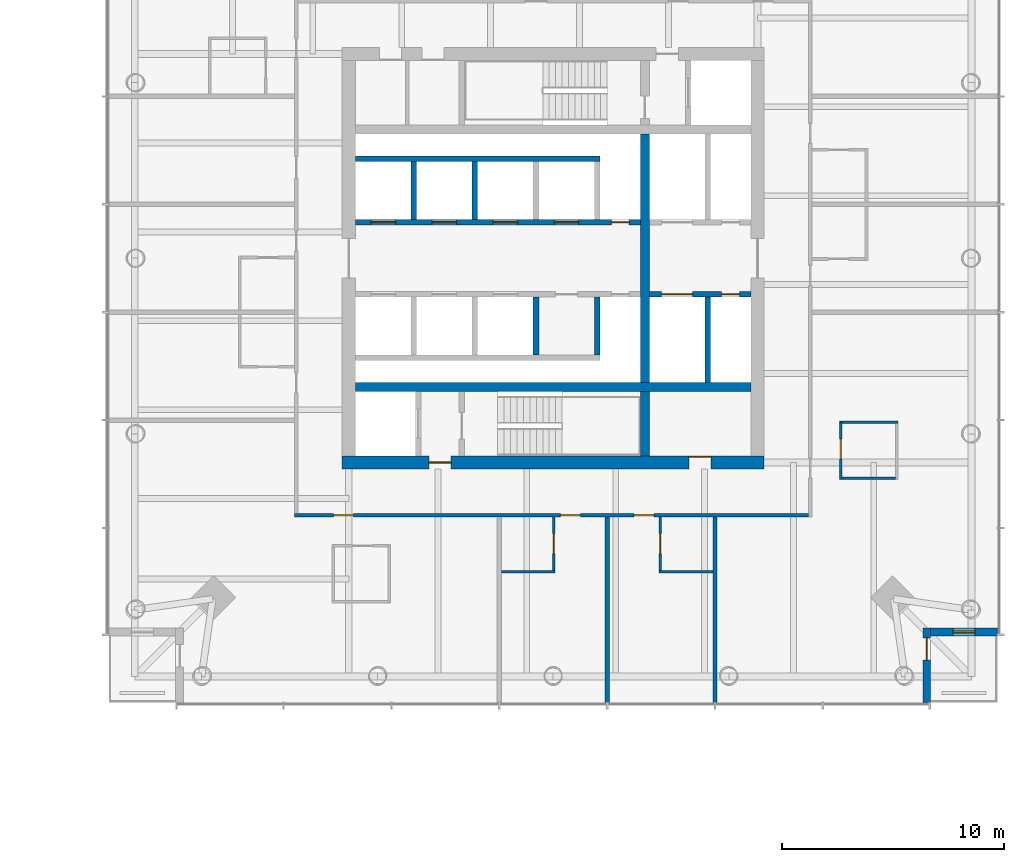
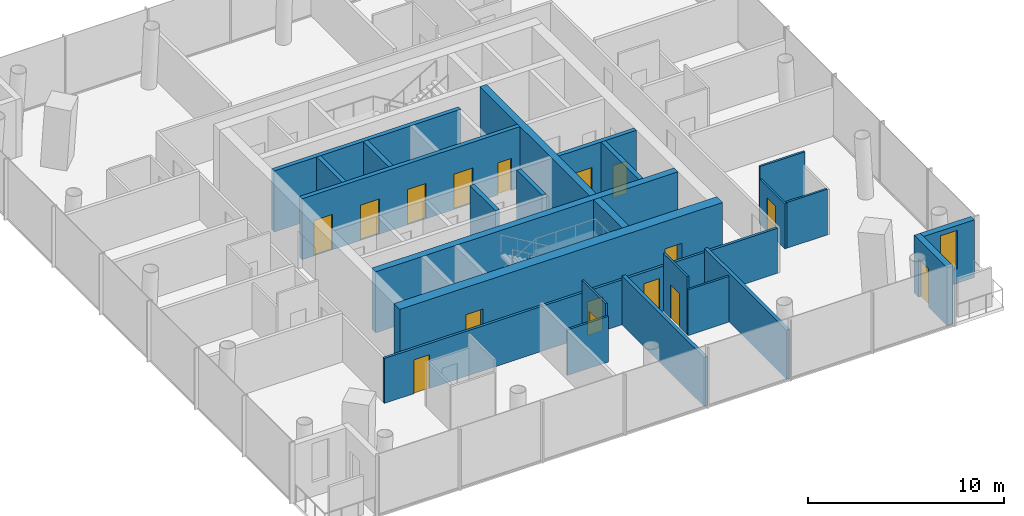
# One storey, part 14 of 19: 24 walls, 16 doors, 1 window, 17 openings.
"""IFC4 building model written with IfcOpenShell, lengths in metres."""

from ifc_helpers import new_model, si_unit, direction, frame, frame_2d, origin, place, context, subcontext, project, spatial, rectangle, extrude, material, layer, layer_set, type_object, element, fill, save


model = new_model("IFC4")

# Units and contexts
model_context = context("Model", 3, precision=1e-05, world=origin(), true_north=direction((0.0, 1.0)))
body_context = subcontext(model_context, "Body", "Model", "MODEL_VIEW")
ifc_project = project(units=[si_unit("LENGTHUNIT", "METRE"), si_unit("AREAUNIT", "SQUARE_METRE"), si_unit("VOLUMEUNIT", "CUBIC_METRE"), si_unit("PLANEANGLEUNIT", "RADIAN"), si_unit("MASSUNIT", "GRAM", prefix="KILO")], contexts=[model_context])

# Site, building, storey
site_placement = place(None, origin())
site = spatial("IfcSite", under=ifc_project, at=site_placement, CompositionType="ELEMENT")
building_placement = place(site_placement, origin())
building = spatial("IfcBuilding", under=site, at=building_placement, Name="Ostroluk Exchange", CompositionType="ELEMENT")
storey_placement = place(building_placement, frame((0.0, 0.0, 24.800048828125)))
storey = spatial("IfcBuildingStorey", under=building, at=storey_placement, Name="L05", CompositionType="ELEMENT", Elevation=24.800048828125)

# Walls
ifc_material_1 = material(Name="Concrete C50/60", Category="concrete")
ifc_layer_1 = layer(ifc_material_1, 0.39990234375)
ifc_layer_set_1 = layer_set([ifc_layer_1], Name="Core cross wall 400 C50/60")
wall_type_1 = type_object("IfcWallType", Name="Core cross wall 400 C50/60", PredefinedType="SHEAR", material=ifc_layer_set_1)
wall_1_placement = place(storey_placement, frame((108.10009765625, 40.199951171875, 0.0), z_axis=(0.0, 0.0, 1.0), x_axis=(1.0, 0.0, 0.0)))
element("IfcWall", 1, at=wall_1_placement, inside=storey, type_object=wall_type_1, Name="T2 core wall XS", PredefinedType="SHEAR", context=body_context, shape_type="SweptSolid", body=[
    extrude(rectangle(XDim=17.7998046875, YDim=0.39990234375, at=frame_2d((8.89990234375, 0.0))), origin(), (0.0, 0.0, 1.0), 3.800048828125),
])
wall_2_placement = place(storey_placement, frame((121.1298828125, 37.10009765625, 0.0), z_axis=(0.0, 0.0, 1.0), x_axis=(0.0, 1.0, 0.0)))
element("IfcWall", 2, at=wall_2_placement, inside=storey, type_object=wall_type_1, Name="T2 core wall YE1", PredefinedType="SHEAR", context=body_context, shape_type="SweptSolid", body=[
    extrude(rectangle(XDim=2.89990234375, YDim=0.39990234375, at=frame_2d((1.449951171875, 0.0))), origin(), (0.0, 0.0, 1.0), 3.800048828125),
])
wall_3_placement = place(storey_placement, frame((121.1298828125, 40.39990234375, 0.0), z_axis=(0.0, 0.0, 1.0), x_axis=(0.0, 1.0, 0.0)))
element("IfcWall", 3, at=wall_3_placement, inside=storey, type_object=wall_type_1, Name="T2 core wall YE2", PredefinedType="SHEAR", context=body_context, shape_type="SweptSolid", body=[
    extrude(rectangle(XDim=11.2001953125, YDim=0.39990234375, at=frame_2d((5.60009765625, 0.0))), origin(), (0.0, 0.0, 1.0), 3.800048828125),
])
ifc_material_2 = material(Name="Concrete C40/50", Category="concrete")
ifc_layer_2 = layer(ifc_material_2, 0.25)
ifc_layer_set_2 = layer_set([ifc_layer_2], Name="Core shaft wall 250")
wall_type_2 = type_object("IfcWallType", Name="Core shaft wall 250", PredefinedType="SHEAR", material=ifc_layer_set_2)
for number, where, z_axis, x_axis, name in (
    (4, (110.72509765625, 47.75, 0.0), (0.0, 0.0, 1.0), (0.0, 1.0, 0.0), "Lift shaft wall"),
    (5, (113.47509765625, 47.75, 0.0), (0.0, 0.0, 1.0), (0.0, 1.0, 0.0), "Lift shaft wall"),
):
    element("IfcWall", number, at=place(storey_placement, frame(where, z_axis=z_axis, x_axis=x_axis)), inside=storey, type_object=wall_type_2, Name=name, PredefinedType="SHEAR", context=body_context, shape_type="SweptSolid", body=[
        extrude(rectangle(XDim=2.60009765625, YDim=0.25, at=frame_2d((1.300048828125, 0.0))), origin(), (0.0, 0.0, 1.0), 3.800048828125),
    ])
wall_4_placement = place(storey_placement, frame((108.10009765625, 50.47509765625, 0.0), z_axis=(0.0, 0.0, 1.0), x_axis=(1.0, 0.0, 0.0)))
element("IfcWall", 6, at=wall_4_placement, inside=storey, type_object=wall_type_2, Name="Lift shaft wall", PredefinedType="SHEAR", context=body_context, shape_type="SweptSolid", body=[
    extrude(rectangle(XDim=11.0, YDim=0.25, at=frame_2d((5.5, 0.0))), origin(), (0.0, 0.0, 1.0), 3.800048828125),
])

# Wall, openings, doors
wall_5_placement = place(storey_placement, frame((108.10009765625, 47.625, 0.0), z_axis=(0.0, 0.0, 1.0), x_axis=(1.0, 0.0, 0.0)))
wall_5 = element("IfcWall", 7, at=wall_5_placement, inside=storey, type_object=wall_type_2, Name="Lift shaft front wall", PredefinedType="SHEAR", context=body_context, shape_type="SweptSolid", body=[
    extrude(rectangle(XDim=12.829833984375, YDim=0.25, at=frame_2d((6.4150390625, 0.0))), origin(), (0.0, 0.0, 1.0), 3.800048828125),
])
opening_1_placement = place(wall_5_placement, frame((0.699951171875, 0.0, 0.0)))
opening_1 = element("IfcOpeningElement", 8, at=opening_1_placement, cuts=wall_5, Name="Opening LD", PredefinedType="OPENING", context=body_context, shape_type="SweptSolid", body=[
    extrude(rectangle(XDim=1.10009765625, YDim=2.199951171875, at=frame_2d((0.550048828125, 1.10009765625))), frame((0.0, 0.135009765625, 0.0), z_axis=(0.0, -1.0, 0.0), x_axis=(1.0, 0.0, 0.0)), (0.0, 0.0, 1.0), 0.27001953125),
])
opening_2_placement = place(wall_5_placement, frame((3.449951171875, 0.0, 0.0)))
opening_2 = element("IfcOpeningElement", 9, at=opening_2_placement, cuts=wall_5, Name="Opening LD", PredefinedType="OPENING", context=body_context, shape_type="SweptSolid", body=[
    extrude(rectangle(XDim=1.10009765625, YDim=2.199951171875, at=frame_2d((0.550048828125, 1.10009765625))), frame((0.0, 0.135009765625, 0.0), z_axis=(0.0, -1.0, 0.0), x_axis=(1.0, 0.0, 0.0)), (0.0, 0.0, 1.0), 0.27001953125),
])
opening_3_placement = place(wall_5_placement, frame((6.199951171875, 0.0, 0.0)))
opening_3 = element("IfcOpeningElement", 10, at=opening_3_placement, cuts=wall_5, Name="Opening LD", PredefinedType="OPENING", context=body_context, shape_type="SweptSolid", body=[
    extrude(rectangle(XDim=1.10009765625, YDim=2.199951171875, at=frame_2d((0.550048828125, 1.10009765625))), frame((0.0, 0.135009765625, 0.0), z_axis=(0.0, -1.0, 0.0), x_axis=(1.0, 0.0, 0.0)), (0.0, 0.0, 1.0), 0.27001953125),
])
opening_4_placement = place(wall_5_placement, frame((8.949951171875, 0.0, 0.0)))
opening_4 = element("IfcOpeningElement", 11, at=opening_4_placement, cuts=wall_5, Name="Opening LD", PredefinedType="OPENING", context=body_context, shape_type="SweptSolid", body=[
    extrude(rectangle(XDim=1.10009765625, YDim=2.199951171875, at=frame_2d((0.550048828125, 1.10009765625))), frame((0.0, 0.135009765625, 0.0), z_axis=(0.0, -1.0, 0.0), x_axis=(1.0, 0.0, 0.0)), (0.0, 0.0, 1.0), 0.27001953125),
])
opening_5_placement = place(wall_5_placement, frame((11.514892578125, 0.0, 0.0)))
opening_5 = element("IfcOpeningElement", 12, at=opening_5_placement, cuts=wall_5, Name="Opening RD60", PredefinedType="OPENING", context=body_context, shape_type="SweptSolid", body=[
    extrude(rectangle(XDim=0.800048828125, YDim=2.0, at=frame_2d((0.39990234375, 1.0))), frame((0.0, 0.135009765625, 0.0), z_axis=(0.0, -1.0, 0.0), x_axis=(1.0, 0.0, 0.0)), (0.0, 0.0, 1.0), 0.27001953125),
])
ifc_material_3 = material(Name="Stainless steel", Category="steel")
door_type_1 = type_object("IfcDoorType", Name="Lift landing door E 60 1100 x 2200", OperationType="DOUBLE_DOOR_SLIDING", PredefinedType="DOOR", material=ifc_material_3)
door_1_placement = place(opening_1_placement, origin())
door_1 = element("IfcDoor", 13, at=door_1_placement, inside=storey, type_object=door_type_1, Name="Lift HL1 landing door", OperationType="DOUBLE_DOOR_SLIDING", OverallHeight=2.199951171875, OverallWidth=1.10009765625, PredefinedType="DOOR", context=body_context, shape_type="SweptSolid", body=[
    extrude(rectangle(XDim=1.10009765625, YDim=2.199951171875, at=frame_2d((0.550048828125, 1.10009765625))), frame((0.0, 0.02490234375, 0.0), z_axis=(0.0, -1.0, 0.0), x_axis=(1.0, 0.0, 0.0)), (0.0, 0.0, 1.0), 0.050048828125),
])
fill(opening_1, door_1)
door_2_placement = place(opening_2_placement, origin())
door_2 = element("IfcDoor", 14, at=door_2_placement, inside=storey, type_object=door_type_1, Name="Lift HL2 landing door", OperationType="DOUBLE_DOOR_SLIDING", OverallHeight=2.199951171875, OverallWidth=1.10009765625, PredefinedType="DOOR", context=body_context, shape_type="SweptSolid", body=[
    extrude(rectangle(XDim=1.10009765625, YDim=2.199951171875, at=frame_2d((0.550048828125, 1.10009765625))), frame((0.0, 0.02490234375, 0.0), z_axis=(0.0, -1.0, 0.0), x_axis=(1.0, 0.0, 0.0)), (0.0, 0.0, 1.0), 0.050048828125),
])
fill(opening_2, door_2)
door_3_placement = place(opening_3_placement, origin())
door_3 = element("IfcDoor", 15, at=door_3_placement, inside=storey, type_object=door_type_1, Name="Lift HL3 landing door", OperationType="DOUBLE_DOOR_SLIDING", OverallHeight=2.199951171875, OverallWidth=1.10009765625, PredefinedType="DOOR", context=body_context, shape_type="SweptSolid", body=[
    extrude(rectangle(XDim=1.10009765625, YDim=2.199951171875, at=frame_2d((0.550048828125, 1.10009765625))), frame((0.0, 0.02490234375, 0.0), z_axis=(0.0, -1.0, 0.0), x_axis=(1.0, 0.0, 0.0)), (0.0, 0.0, 1.0), 0.050048828125),
])
fill(opening_3, door_3)
door_4_placement = place(opening_4_placement, origin())
door_4 = element("IfcDoor", 16, at=door_4_placement, inside=storey, type_object=door_type_1, Name="Lift HL4 landing door", OperationType="DOUBLE_DOOR_SLIDING", OverallHeight=2.199951171875, OverallWidth=1.10009765625, PredefinedType="DOOR", context=body_context, shape_type="SweptSolid", body=[
    extrude(rectangle(XDim=1.10009765625, YDim=2.199951171875, at=frame_2d((0.550048828125, 1.10009765625))), frame((0.0, 0.02490234375, 0.0), z_axis=(0.0, -1.0, 0.0), x_axis=(1.0, 0.0, 0.0)), (0.0, 0.0, 1.0), 0.050048828125),
])
fill(opening_4, door_4)
ifc_material_4 = material(Name="Steel", Category="steel")
door_type_2 = type_object("IfcDoorType", Name="Riser access door EI 60 800 x 2000", OperationType="SINGLE_SWING_LEFT", PredefinedType="DOOR", material=ifc_material_4)
door_5_placement = place(opening_5_placement, origin())
door_5 = element("IfcDoor", 17, at=door_5_placement, inside=storey, type_object=door_type_2, Name="Riser access door", OperationType="SINGLE_SWING_RIGHT", OverallHeight=2.0, OverallWidth=0.800048828125, PredefinedType="DOOR", context=body_context, shape_type="SweptSolid", body=[
    extrude(rectangle(XDim=0.800048828125, YDim=2.0, at=frame_2d((0.39990234375, 1.0))), frame((0.0, 0.02490234375, 0.0), z_axis=(0.0, -1.0, 0.0), x_axis=(1.0, 0.0, 0.0)), (0.0, 0.0, 1.0), 0.050048828125),
])
fill(opening_5, door_5)

# Walls
for number, where, z_axis, x_axis, name in (
    (18, (116.22509765625, 44.25, 0.0), (0.0, 0.0, 1.0), (0.0, -1.0, 0.0), "Lift shaft wall"),
    (19, (118.97509765625, 44.25, 0.0), (0.0, 0.0, 1.0), (0.0, -1.0, 0.0), "Lift shaft wall"),
):
    element("IfcWall", number, at=place(storey_placement, frame(where, z_axis=z_axis, x_axis=x_axis)), inside=storey, type_object=wall_type_2, Name=name, PredefinedType="SHEAR", context=body_context, shape_type="SweptSolid", body=[
        extrude(rectangle(XDim=2.60009765625, YDim=0.25, at=frame_2d((1.300048828125, 0.0))), origin(), (0.0, 0.0, 1.0), 3.800048828125),
    ])
wall_6_placement = place(storey_placement, frame((123.955078125, 44.25, 0.0), z_axis=(0.0, 0.0, 1.0), x_axis=(0.0, -1.0, 0.0)))
element("IfcWall", 20, at=wall_6_placement, inside=storey, type_object=wall_type_2, Name="Lift shaft wall", PredefinedType="SHEAR", context=body_context, shape_type="SweptSolid", body=[
    extrude(rectangle(XDim=3.85009765625, YDim=0.25, at=frame_2d((1.925048828125, 0.0))), origin(), (0.0, 0.0, 1.0), 3.800048828125),
])

# Wall, openings, doors
wall_7_placement = place(storey_placement, frame((121.330078125, 44.375, 0.0), z_axis=(0.0, 0.0, 1.0), x_axis=(1.0, 0.0, 0.0)))
wall_7 = element("IfcWall", 21, at=wall_7_placement, inside=storey, type_object=wall_type_2, Name="Lift shaft front wall", PredefinedType="SHEAR", context=body_context, shape_type="SweptSolid", body=[
    extrude(rectangle(XDim=4.56982421875, YDim=0.25, at=frame_2d((2.284912109375, 0.0))), origin(), (0.0, 0.0, 1.0), 3.800048828125),
])
opening_6_placement = place(wall_7_placement, frame((0.550048828125, 0.0, 0.0)))
opening_6 = element("IfcOpeningElement", 22, at=opening_6_placement, cuts=wall_7, Name="Opening LD3", PredefinedType="OPENING", context=body_context, shape_type="SweptSolid", body=[
    extrude(rectangle(XDim=1.39990234375, YDim=2.39990234375, at=frame_2d((0.699951171875, 1.199951171875))), frame((0.0, 0.135009765625, 0.0), z_axis=(0.0, -1.0, 0.0), x_axis=(1.0, 0.0, 0.0)), (0.0, 0.0, 1.0), 0.27001953125),
])
opening_7_placement = place(wall_7_placement, frame((3.260009765625, 0.0, 0.0)))
opening_7 = element("IfcOpeningElement", 23, at=opening_7_placement, cuts=wall_7, Name="Opening RD60", PredefinedType="OPENING", context=body_context, shape_type="SweptSolid", body=[
    extrude(rectangle(XDim=0.800048828125, YDim=2.0, at=frame_2d((0.39990234375, 1.0))), frame((0.0, 0.135009765625, 0.0), z_axis=(0.0, -1.0, 0.0), x_axis=(1.0, 0.0, 0.0)), (0.0, 0.0, 1.0), 0.27001953125),
])
ifc_material_5 = material(Name="Stainless steel", Category="steel")
door_type_3 = type_object("IfcDoorType", Name="Goods lift landing door E 60 1400 x 2400", OperationType="DOUBLE_DOOR_SLIDING", PredefinedType="DOOR", material=ifc_material_5)
door_6_placement = place(opening_6_placement, origin())
door_6 = element("IfcDoor", 24, at=door_6_placement, inside=storey, type_object=door_type_3, Name="Lift HS2 landing door", OperationType="DOUBLE_DOOR_SLIDING", OverallHeight=2.39990234375, OverallWidth=1.39990234375, PredefinedType="DOOR", context=body_context, shape_type="SweptSolid", body=[
    extrude(rectangle(XDim=1.39990234375, YDim=2.39990234375, at=frame_2d((0.699951171875, 1.199951171875))), frame((0.0, 0.02490234375, 0.0), z_axis=(0.0, -1.0, 0.0), x_axis=(1.0, 0.0, 0.0)), (0.0, 0.0, 1.0), 0.050048828125),
])
fill(opening_6, door_6)
door_7_placement = place(opening_7_placement, origin())
door_7 = element("IfcDoor", 25, at=door_7_placement, inside=storey, type_object=door_type_2, Name="Riser access door", OperationType="SINGLE_SWING_RIGHT", OverallHeight=2.0, OverallWidth=0.800048828125, PredefinedType="DOOR", context=body_context, shape_type="SweptSolid", body=[
    extrude(rectangle(XDim=0.800048828125, YDim=2.0, at=frame_2d((0.39990234375, 1.0))), frame((0.0, 0.02490234375, 0.0), z_axis=(0.0, -1.0, 0.0), x_axis=(1.0, 0.0, 0.0)), (0.0, 0.0, 1.0), 0.050048828125),
])
fill(opening_7, door_7)

ifc_material_6 = material(Name="Concrete C50/60", Category="concrete")
ifc_layer_3 = layer(ifc_material_6, 0.60009765625)
ifc_layer_set_3 = layer_set([ifc_layer_3], Name="Core wall 600 C50/60")
wall_type_3 = type_object("IfcWallType", Name="Core wall 600 C50/60", PredefinedType="SHEAR", material=ifc_layer_set_3)
wall_8_placement = place(storey_placement, frame((107.5, 36.800048828125, 0.0), z_axis=(0.0, 0.0, 1.0), x_axis=(1.0, 0.0, 0.0)))
wall_8 = element("IfcWall", 26, at=wall_8_placement, inside=storey, type_object=wall_type_3, Name="T2 core wall S", PredefinedType="SHEAR", context=body_context, shape_type="SweptSolid", body=[
    extrude(rectangle(XDim=19.0, YDim=0.60009765625, at=frame_2d((9.5, 0.0))), origin(), (0.0, 0.0, 1.0), 3.800048828125),
])
opening_8_placement = place(wall_8_placement, frame((3.89990234375, 0.0, 0.0)))
opening_8 = element("IfcOpeningElement", 27, at=opening_8_placement, cuts=wall_8, Name="Opening FD60", PredefinedType="OPENING", context=body_context, shape_type="SweptSolid", body=[
    extrude(rectangle(XDim=1.0, YDim=2.10009765625, at=frame_2d((0.5, 1.050048828125))), frame((0.0, 0.31005859375, 0.0), z_axis=(0.0, -1.0, 0.0), x_axis=(1.0, 0.0, 0.0)), (0.0, 0.0, 1.0), 0.6201171875),
])
opening_9_placement = place(wall_8_placement, frame((15.614990234375, 0.0, 0.0)))
opening_9 = element("IfcOpeningElement", 28, at=opening_9_placement, cuts=wall_8, Name="Opening FD60", PredefinedType="OPENING", context=body_context, shape_type="SweptSolid", body=[
    extrude(rectangle(XDim=1.0, YDim=2.10009765625, at=frame_2d((0.5, 1.050048828125))), frame((0.0, 0.31005859375, 0.0), z_axis=(0.0, -1.0, 0.0), x_axis=(1.0, 0.0, 0.0)), (0.0, 0.0, 1.0), 0.6201171875),
])
ifc_material_7 = material(Name="Steel", Category="steel")
door_type_4 = type_object("IfcDoorType", Name="Fire door EI 60 1000 x 2100", OperationType="SINGLE_SWING_LEFT", PredefinedType="DOOR", material=ifc_material_7)
door_8_placement = place(opening_8_placement, origin())
door_8 = element("IfcDoor", 29, at=door_8_placement, inside=storey, type_object=door_type_4, Name="Firefighting lobby door", OperationType="SINGLE_SWING_LEFT", OverallHeight=2.10009765625, OverallWidth=1.0, PredefinedType="DOOR", context=body_context, shape_type="SweptSolid", body=[
    extrude(rectangle(XDim=1.0, YDim=2.10009765625, at=frame_2d((0.5, 1.050048828125))), frame((0.0, 0.02490234375, 0.0), z_axis=(0.0, -1.0, 0.0), x_axis=(1.0, 0.0, 0.0)), (0.0, 0.0, 1.0), 0.050048828125),
])
fill(opening_8, door_8)
door_9_placement = place(opening_9_placement, origin())
door_9 = element("IfcDoor", 30, at=door_9_placement, inside=storey, type_object=door_type_4, Name="Guest pantry door", OperationType="SINGLE_SWING_RIGHT", OverallHeight=2.10009765625, OverallWidth=1.0, PredefinedType="DOOR", context=body_context, shape_type="SweptSolid", body=[
    extrude(rectangle(XDim=1.0, YDim=2.10009765625, at=frame_2d((0.5, 1.050048828125))), frame((0.0, 0.2900390625, 0.0), z_axis=(0.0, -1.0, 0.0), x_axis=(1.0, 0.0, 0.0)), (0.0, 0.0, 1.0), 0.050048828125),
])
fill(opening_9, door_9)

# Wall, opening, door
ifc_material_8 = material(Name="Limestone", Category="masonry")
ifc_layer_4 = layer(ifc_material_8, 0.35009765625)
ifc_layer_set_4 = layer_set([ifc_layer_4], Name="Limestone facade wall 350")
wall_type_4 = type_object("IfcWallType", Name="Limestone facade wall 350", PredefinedType="SOLIDWALL", material=ifc_layer_set_4)
wall_9_placement = place(storey_placement, frame((133.824951171875, 26.0, 0.0), z_axis=(0.0, 0.0, 1.0), x_axis=(0.0, 1.0, 0.0)))
wall_9 = element("IfcWall", 31, at=wall_9_placement, inside=storey, type_object=wall_type_4, Name="Hotel tower SE corner wall L05 a", PredefinedType="SOLIDWALL", context=body_context, shape_type="SweptSolid", body=[
    extrude(rectangle(XDim=3.35009765625, YDim=0.35009765625, at=frame_2d((1.675048828125, 0.0))), origin(), (0.0, 0.0, 1.0), 3.599853515625),
])
opening_10_placement = place(wall_9_placement, frame((1.89990234375, 0.0, 0.0)))
opening_10 = element("IfcOpeningElement", 32, at=opening_10_placement, cuts=wall_9, Name="Opening D-B1", PredefinedType="OPENING", context=body_context, shape_type="SweptSolid", body=[
    extrude(rectangle(XDim=1.0, YDim=2.39990234375, at=frame_2d((0.5, 1.199951171875))), frame((0.0, 0.18505859375, 0.0), z_axis=(0.0, -1.0, 0.0), x_axis=(1.0, 0.0, 0.0)), (0.0, 0.0, 1.0), 0.3701171875),
])
ifc_material_9 = material(Name="Bronze framed glazed door", Category="aluminium")
door_type_5 = type_object("IfcDoorType", Name="Balcony door 1000 x 2400", OperationType="SINGLE_SWING_LEFT", PredefinedType="DOOR", material=ifc_material_9)
door_10_placement = place(opening_10_placement, origin())
door_10 = element("IfcDoor", 33, at=door_10_placement, inside=storey, type_object=door_type_5, Name="Hotel tower SE balcony door L05", OperationType="SINGLE_SWING_RIGHT", OverallHeight=2.39990234375, OverallWidth=1.0, PredefinedType="DOOR", context=body_context, shape_type="SweptSolid", body=[
    extrude(rectangle(XDim=1.0, YDim=2.39990234375, at=frame_2d((0.5, 1.199951171875))), frame((0.0, 0.02490234375, 0.0), z_axis=(0.0, -1.0, 0.0), x_axis=(1.0, 0.0, 0.0)), (0.0, 0.0, 1.0), 0.050048828125),
])
fill(opening_10, door_10)

# Wall, opening, window
wall_10_placement = place(storey_placement, frame((134.0, 29.175048828125, 0.0), z_axis=(0.0, 0.0, 1.0), x_axis=(1.0, 0.0, 0.0)))
wall_10 = element("IfcWall", 34, at=wall_10_placement, inside=storey, type_object=wall_type_4, Name="Hotel tower SE corner wall L05 b", PredefinedType="SOLIDWALL", context=body_context, shape_type="SweptSolid", body=[
    extrude(rectangle(XDim=3.0, YDim=0.35009765625, at=frame_2d((1.5, 0.0))), origin(), (0.0, 0.0, 1.0), 3.599853515625),
])
opening_11_placement = place(wall_10_placement, frame((1.0, 0.0, 0.89990234375)))
opening_11 = element("IfcOpeningElement", 35, at=opening_11_placement, cuts=wall_10, Name="Opening WN-L3", PredefinedType="OPENING", context=body_context, shape_type="SweptSolid", body=[
    extrude(rectangle(XDim=1.0, YDim=2.39990234375, at=frame_2d((0.5, 1.199951171875))), frame((0.0, 0.18505859375, 0.0), z_axis=(0.0, -1.0, 0.0), x_axis=(1.0, 0.0, 0.0)), (0.0, 0.0, 1.0), 0.3701171875),
])
ifc_material_10 = material(Name="Laminated clear glass", Category="glass")
window_type = type_object("IfcWindowType", Name="Hotel lancet window 1000 x 2400", PartitioningType="SINGLE_PANEL", PredefinedType="WINDOW", material=ifc_material_10)
window_placement = place(opening_11_placement, origin())
window = element("IfcWindow", 36, at=window_placement, inside=storey, type_object=window_type, Name="Hotel tower SE lancet window L05", OverallHeight=2.39990234375, OverallWidth=1.0, PartitioningType="SINGLE_PANEL", PredefinedType="WINDOW", context=body_context, shape_type="SweptSolid", body=[
    extrude(rectangle(XDim=1.0, YDim=2.39990234375, at=frame_2d((0.5, 1.199951171875))), frame((0.0, 0.030029296875, 0.0), z_axis=(0.0, -1.0, 0.0), x_axis=(1.0, 0.0, 0.0)), (0.0, 0.0, 1.0), 0.06005859375),
])
fill(opening_11, window)

# Wall, opening, door
ifc_material_11 = material(Name="Gypsum plasterboard partition, moisture resistant", Category="gypsum")
ifc_layer_5 = layer(ifc_material_11, 0.1201171875)
ifc_layer_set_5 = layer_set([ifc_layer_5], Name="Plasterboard en-suite wall 120")
wall_type_5 = type_object("IfcWallType", Name="Plasterboard en-suite wall 120", PredefinedType="PARTITIONING", material=ifc_layer_set_5)
wall_11_placement = place(storey_placement, frame((129.949951171875, 38.6142578125, 0.0), z_axis=(0.0, 0.0, 1.0), x_axis=(0.0, -1.0, 0.0)))
wall_11 = element("IfcWall", 37, at=wall_11_placement, inside=storey, type_object=wall_type_5, Name="En-suite wall", PredefinedType="PARTITIONING", context=body_context, shape_type="SweptSolid", body=[
    extrude(rectangle(XDim=2.580078125, YDim=0.1201171875, at=frame_2d((1.2900390625, 0.0))), origin(), (0.0, 0.0, 1.0), 2.800048828125),
])
opening_12_placement = place(wall_11_placement, frame((0.75, 0.0, 0.0)))
opening_12 = element("IfcOpeningElement", 38, at=opening_12_placement, cuts=wall_11, Name="Opening D-02", PredefinedType="OPENING", context=body_context, shape_type="SweptSolid", body=[
    extrude(rectangle(XDim=0.89990234375, YDim=2.10009765625, at=frame_2d((0.449951171875, 1.050048828125))), frame((0.0, 0.070068359375, 0.0), z_axis=(0.0, -1.0, 0.0), x_axis=(1.0, 0.0, 0.0)), (0.0, 0.0, 1.0), 0.14013671875),
])
ifc_material_12 = material(Name="Timber", Category="wood")
door_type_6 = type_object("IfcDoorType", Name="En-suite door 900 x 2100", OperationType="SINGLE_SWING_LEFT", PredefinedType="DOOR", material=ifc_material_12)
door_11_placement = place(opening_12_placement, origin())
door_11 = element("IfcDoor", 39, at=door_11_placement, inside=storey, type_object=door_type_6, Name="En-suite door 501", OperationType="SINGLE_SWING_LEFT", OverallHeight=2.10009765625, OverallWidth=0.89990234375, PredefinedType="DOOR", context=body_context, shape_type="SweptSolid", body=[
    extrude(rectangle(XDim=0.89990234375, YDim=2.10009765625, at=frame_2d((0.449951171875, 1.050048828125))), frame((0.0, 0.02490234375, 0.0), z_axis=(0.0, -1.0, 0.0), x_axis=(1.0, 0.0, 0.0)), (0.0, 0.0, 1.0), 0.050048828125),
])
fill(opening_12, door_11)

# Walls
wall_12_placement = place(storey_placement, frame((130.010009765625, 36.09423828125, 0.0), z_axis=(0.0, 0.0, 1.0), x_axis=(1.0, 0.0, 0.0)))
element("IfcWall", 40, at=wall_12_placement, inside=storey, type_object=wall_type_5, Name="En-suite wall", PredefinedType="PARTITIONING", context=body_context, shape_type="SweptSolid", body=[
    extrude(rectangle(XDim=2.39990234375, YDim=0.1201171875, at=frame_2d((1.199951171875, 0.0))), origin(), (0.0, 0.0, 1.0), 2.846923828125),
])
wall_13_placement = place(storey_placement, frame((129.889892578125, 38.6142578125, 0.0), z_axis=(0.0, 0.0, 1.0), x_axis=(1.0, 0.0, 0.0)))
element("IfcWall", 41, at=wall_13_placement, inside=storey, type_object=wall_type_5, Name="En-suite wall", PredefinedType="PARTITIONING", context=body_context, shape_type="SweptSolid", body=[
    extrude(rectangle(XDim=2.64013671875, YDim=0.1201171875, at=frame_2d((1.320068359375, 0.0))), origin(), (0.0, 0.0, 1.0), 3.599853515625),
])
wall_14_placement = place(storey_placement, frame((114.67138671875, 31.889892578125, 0.0), z_axis=(0.0, 0.0, 1.0), x_axis=(1.0, 0.0, 0.0)))
element("IfcWall", 42, at=wall_14_placement, inside=storey, type_object=wall_type_5, Name="En-suite wall", PredefinedType="PARTITIONING", context=body_context, shape_type="SweptSolid", body=[
    extrude(rectangle(XDim=2.419921875, YDim=0.1201171875, at=frame_2d((1.2099609375, 0.0))), origin(), (0.0, 0.0, 1.0), 2.846923828125),
])

# Wall, opening, door
wall_15_placement = place(storey_placement, frame((117.031494140625, 34.35009765625, 0.0), z_axis=(0.0, 0.0, 1.0), x_axis=(0.0, -1.0, 0.0)))
wall_15 = element("IfcWall", 43, at=wall_15_placement, inside=storey, type_object=wall_type_5, Name="En-suite wall", PredefinedType="PARTITIONING", context=body_context, shape_type="SweptSolid", body=[
    extrude(rectangle(XDim=2.400146484375, YDim=0.1201171875, at=frame_2d((1.2001953125, 0.0))), origin(), (0.0, 0.0, 1.0), 3.599853515625),
])
opening_13_placement = place(wall_15_placement, frame((0.75, 0.0, 0.0)))
opening_13 = element("IfcOpeningElement", 44, at=opening_13_placement, cuts=wall_15, Name="Opening D-02", PredefinedType="OPENING", context=body_context, shape_type="SweptSolid", body=[
    extrude(rectangle(XDim=0.89990234375, YDim=2.10009765625, at=frame_2d((0.449951171875, 1.050048828125))), frame((0.0, 0.070068359375, 0.0), z_axis=(0.0, -1.0, 0.0), x_axis=(1.0, 0.0, 0.0)), (0.0, 0.0, 1.0), 0.14013671875),
])
door_12_placement = place(opening_13_placement, origin())
door_12 = element("IfcDoor", 45, at=door_12_placement, inside=storey, type_object=door_type_6, Name="En-suite door 510", OperationType="SINGLE_SWING_LEFT", OverallHeight=2.10009765625, OverallWidth=0.89990234375, PredefinedType="DOOR", context=body_context, shape_type="SweptSolid", body=[
    extrude(rectangle(XDim=0.89990234375, YDim=2.10009765625, at=frame_2d((0.449951171875, 1.050048828125))), frame((0.0, 0.02490234375, 0.0), z_axis=(0.0, -1.0, 0.0), x_axis=(1.0, 0.0, 0.0)), (0.0, 0.0, 1.0), 0.050048828125),
])
fill(opening_13, door_12)

# Wall
wall_16_placement = place(storey_placement, frame((121.765625, 31.889892578125, 0.0), z_axis=(0.0, 0.0, 1.0), x_axis=(1.0, 0.0, 0.0)))
element("IfcWall", 46, at=wall_16_placement, inside=storey, type_object=wall_type_5, Name="En-suite wall", PredefinedType="PARTITIONING", context=body_context, shape_type="SweptSolid", body=[
    extrude(rectangle(XDim=2.420166015625, YDim=0.1201171875, at=frame_2d((1.2099609375, 0.0))), origin(), (0.0, 0.0, 1.0), 2.846923828125),
])

# Wall, opening, door
wall_17_placement = place(storey_placement, frame((121.82568359375, 34.35009765625, 0.0), z_axis=(0.0, 0.0, 1.0), x_axis=(0.0, -1.0, 0.0)))
wall_17 = element("IfcWall", 47, at=wall_17_placement, inside=storey, type_object=wall_type_5, Name="En-suite wall", PredefinedType="PARTITIONING", context=body_context, shape_type="SweptSolid", body=[
    extrude(rectangle(XDim=2.400146484375, YDim=0.1201171875, at=frame_2d((1.2001953125, 0.0))), origin(), (0.0, 0.0, 1.0), 3.599853515625),
])
opening_14_placement = place(wall_17_placement, frame((0.75, 0.0, 0.0)))
opening_14 = element("IfcOpeningElement", 48, at=opening_14_placement, cuts=wall_17, Name="Opening D-02", PredefinedType="OPENING", context=body_context, shape_type="SweptSolid", body=[
    extrude(rectangle(XDim=0.89990234375, YDim=2.10009765625, at=frame_2d((0.449951171875, 1.050048828125))), frame((0.0, 0.070068359375, 0.0), z_axis=(0.0, -1.0, 0.0), x_axis=(1.0, 0.0, 0.0)), (0.0, 0.0, 1.0), 0.14013671875),
])
door_13_placement = place(opening_14_placement, origin())
door_13 = element("IfcDoor", 49, at=door_13_placement, inside=storey, type_object=door_type_6, Name="En-suite door 511", OperationType="SINGLE_SWING_LEFT", OverallHeight=2.10009765625, OverallWidth=0.89990234375, PredefinedType="DOOR", context=body_context, shape_type="SweptSolid", body=[
    extrude(rectangle(XDim=0.89990234375, YDim=2.10009765625, at=frame_2d((0.449951171875, 1.050048828125))), frame((0.0, 0.02490234375, 0.0), z_axis=(0.0, -1.0, 0.0), x_axis=(1.0, 0.0, 0.0)), (0.0, 0.0, 1.0), 0.050048828125),
])
fill(opening_14, door_13)

# Wall, openings, doors
ifc_material_13 = material(Name="Gypsum plasterboard partition", Category="gypsum")
ifc_layer_6 = layer(ifc_material_13, 0.14990234375)
ifc_layer_set_6 = layer_set([ifc_layer_6], Name="Plasterboard partition 150")
wall_type_6 = type_object("IfcWallType", Name="Plasterboard partition 150", PredefinedType="PARTITIONING", material=ifc_layer_set_6)
wall_18_placement = place(storey_placement, frame((105.35009765625, 34.425048828125, 0.0), z_axis=(0.0, 0.0, 1.0), x_axis=(1.0, 0.0, 0.0)))
wall_18 = element("IfcWall", 50, at=wall_18_placement, inside=storey, type_object=wall_type_6, Name="Corridor wall", PredefinedType="PARTITIONING", context=body_context, shape_type="SweptSolid", body=[
    extrude(rectangle(XDim=23.14990234375, YDim=0.14990234375, at=frame_2d((11.574951171875, 0.0))), origin(), (0.0, 0.0, 1.0), 2.800048828125),
])
opening_15_placement = place(wall_18_placement, frame((1.757080078125, 0.0, 0.0)))
opening_15 = element("IfcOpeningElement", 51, at=opening_15_placement, cuts=wall_18, Name="Opening D-01", PredefinedType="OPENING", context=body_context, shape_type="SweptSolid", body=[
    extrude(rectangle(XDim=0.89990234375, YDim=2.10009765625, at=frame_2d((0.449951171875, 1.050048828125))), frame((0.0, 0.0849609375, 0.0), z_axis=(0.0, -1.0, 0.0), x_axis=(1.0, 0.0, 0.0)), (0.0, 0.0, 1.0), 0.169921875),
])
opening_16_placement = place(wall_18_placement, frame((11.971435546875, 0.0, 0.0)))
opening_16 = element("IfcOpeningElement", 52, at=opening_16_placement, cuts=wall_18, Name="Opening D-01", PredefinedType="OPENING", context=body_context, shape_type="SweptSolid", body=[
    extrude(rectangle(XDim=0.89990234375, YDim=2.10009765625, at=frame_2d((0.449951171875, 1.050048828125))), frame((0.0, 0.0849609375, 0.0), z_axis=(0.0, -1.0, 0.0), x_axis=(1.0, 0.0, 0.0)), (0.0, 0.0, 1.0), 0.169921875),
])
opening_17_placement = place(wall_18_placement, frame((15.28564453125, 0.0, 0.0)))
opening_17 = element("IfcOpeningElement", 53, at=opening_17_placement, cuts=wall_18, Name="Opening D-01", PredefinedType="OPENING", context=body_context, shape_type="SweptSolid", body=[
    extrude(rectangle(XDim=0.89990234375, YDim=2.10009765625, at=frame_2d((0.449951171875, 1.050048828125))), frame((0.0, 0.0849609375, 0.0), z_axis=(0.0, -1.0, 0.0), x_axis=(1.0, 0.0, 0.0)), (0.0, 0.0, 1.0), 0.169921875),
])
ifc_material_14 = material(Name="Timber", Category="wood")
door_type_7 = type_object("IfcDoorType", Name="Hotel room door EI 30 Sa 900 x 2100", OperationType="SINGLE_SWING_LEFT", PredefinedType="DOOR", material=ifc_material_14)
door_14_placement = place(opening_15_placement, origin())
door_14 = element("IfcDoor", 54, at=door_14_placement, inside=storey, type_object=door_type_7, Name="Room door 509", OperationType="SINGLE_SWING_LEFT", OverallHeight=2.10009765625, OverallWidth=0.89990234375, PredefinedType="DOOR", context=body_context, shape_type="SweptSolid", body=[
    extrude(rectangle(XDim=0.89990234375, YDim=2.10009765625, at=frame_2d((0.449951171875, 1.050048828125))), frame((0.0, 0.02490234375, 0.0), z_axis=(0.0, -1.0, 0.0), x_axis=(1.0, 0.0, 0.0)), (0.0, 0.0, 1.0), 0.050048828125),
])
fill(opening_15, door_14)
door_15_placement = place(opening_16_placement, origin())
door_15 = element("IfcDoor", 55, at=door_15_placement, inside=storey, type_object=door_type_7, Name="Room door 510", OperationType="SINGLE_SWING_RIGHT", OverallHeight=2.10009765625, OverallWidth=0.89990234375, PredefinedType="DOOR", context=body_context, shape_type="SweptSolid", body=[
    extrude(rectangle(XDim=0.89990234375, YDim=2.10009765625, at=frame_2d((0.449951171875, 1.050048828125))), frame((0.0, 0.02490234375, 0.0), z_axis=(0.0, -1.0, 0.0), x_axis=(1.0, 0.0, 0.0)), (0.0, 0.0, 1.0), 0.050048828125),
])
fill(opening_16, door_15)
door_16_placement = place(opening_17_placement, origin())
door_16 = element("IfcDoor", 56, at=door_16_placement, inside=storey, type_object=door_type_7, Name="Room door 511", OperationType="SINGLE_SWING_RIGHT", OverallHeight=2.10009765625, OverallWidth=0.89990234375, PredefinedType="DOOR", context=body_context, shape_type="SweptSolid", body=[
    extrude(rectangle(XDim=0.89990234375, YDim=2.10009765625, at=frame_2d((0.449951171875, 1.050048828125))), frame((0.0, 0.02490234375, 0.0), z_axis=(0.0, -1.0, 0.0), x_axis=(1.0, 0.0, 0.0)), (0.0, 0.0, 1.0), 0.050048828125),
])
fill(opening_17, door_16)

# Walls
ifc_material_15 = material(Name="Gypsum plasterboard partition", Category="gypsum")
ifc_layer_7 = layer(ifc_material_15, 0.199951171875)
ifc_layer_set_7 = layer_set([ifc_layer_7], Name="Plasterboard party wall 200")
wall_type_7 = type_object("IfcWallType", Name="Plasterboard party wall 200", PredefinedType="PARTITIONING", material=ifc_layer_set_7)
for number, where, z_axis, x_axis, name in (
    (57, (119.428466796875, 34.35009765625, 0.0), (0.0, 0.0, 1.0), (0.0, -1.0, 0.0), "Party wall"),
    (58, (124.28564453125, 34.35009765625, 0.0), (0.0, 0.0, 1.0), (0.0, -1.0, 0.0), "Party wall"),
):
    element("IfcWall", number, at=place(storey_placement, frame(where, z_axis=z_axis, x_axis=x_axis)), inside=storey, type_object=wall_type_7, Name=name, PredefinedType="PARTITIONING", context=body_context, shape_type="SweptSolid", body=[
        extrude(rectangle(XDim=8.39013671875, YDim=0.199951171875, at=frame_2d((4.195068359375, 0.0))), origin(), (0.0, 0.0, 1.0), 3.050048828125),
    ])

save(model, "model.ifc")
